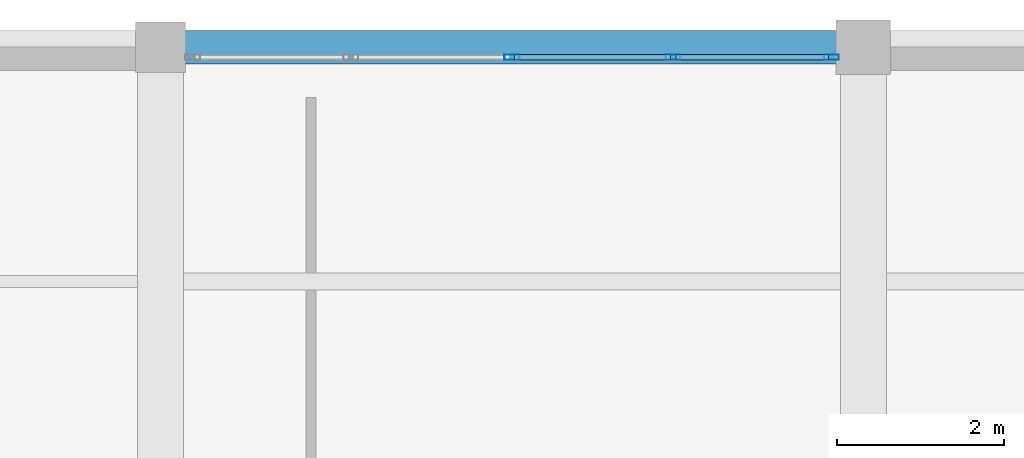
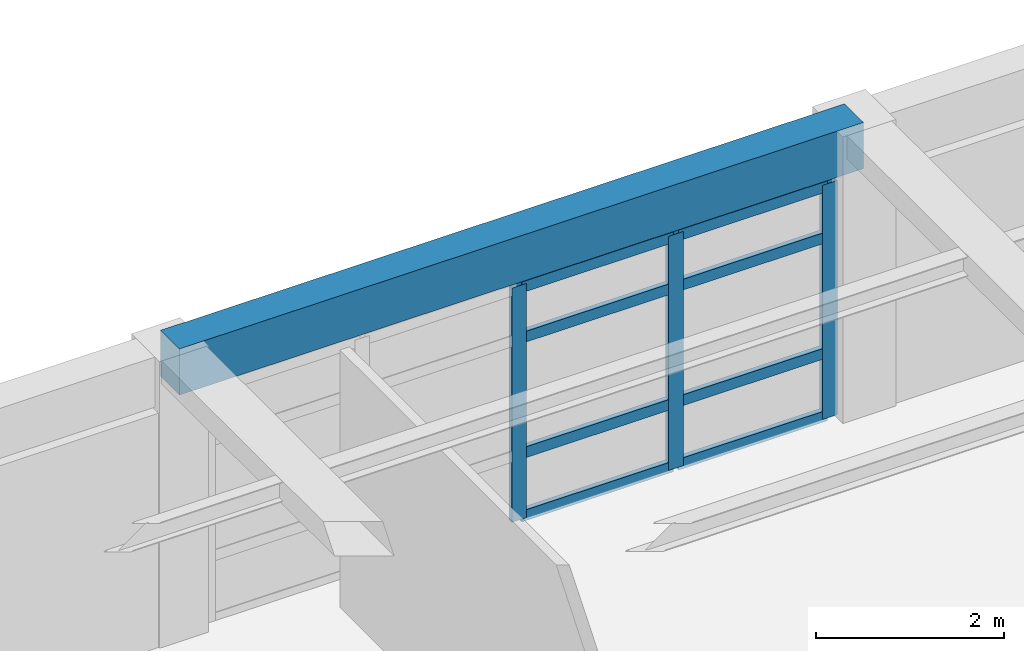
# One storey, part 20 of 26: 11 members, 1 beam, 1 element without a shape of its own.
"""IFC4 building model written with IfcOpenShell, lengths in metres."""

from ifc_helpers import new_model, si_unit, direction, frame, origin, origin_2d, place, context, subcontext, project, spatial, rectangle, hollow_rectangle, extrude, material, material_profile, profile_set, type_object, element, aggregate, save


model = new_model("IFC4")

# Units and contexts
model_context = context("Model", 3, precision=1e-05, world=origin(), true_north=direction((0.0, 1.0)))
body_context = subcontext(model_context, "Body", "Model", "MODEL_VIEW")
ifc_project = project(units=[si_unit("LENGTHUNIT", "METRE"), si_unit("AREAUNIT", "SQUARE_METRE"), si_unit("VOLUMEUNIT", "CUBIC_METRE"), si_unit("PLANEANGLEUNIT", "RADIAN"), si_unit("MASSUNIT", "GRAM", prefix="KILO")], contexts=[model_context])

# Site, building, storey
site_placement = place(None, origin())
site = spatial("IfcSite", under=ifc_project, at=site_placement, CompositionType="ELEMENT")
building_placement = place(site_placement, origin())
building = spatial("IfcBuilding", under=site, at=building_placement, Name="Almacenes y Pasaje Nevantli", CompositionType="ELEMENT")
storey_placement = place(building_placement, frame((0.0, 0.0, 42.699951171875)))
storey = spatial("IfcBuildingStorey", under=building, at=storey_placement, Name="L10", CompositionType="ELEMENT", Elevation=42.699951171875)

# Beam
ifc_material_1 = material(Name="Concrete C35/45", Category="concrete")
ifc_material_profile_1 = material_profile(ifc_material_1, rectangle(XDim=0.39990234375, YDim=0.60009765625, at=origin_2d()), Name="RC-BM-400x600")
ifc_profile_set_1 = profile_set([ifc_material_profile_1], Name="Concrete C35/45")
beam_type = type_object("IfcBeamType", Name="BM-RC-400x600", PredefinedType="SPANDREL", material=ifc_profile_set_1)
beam_placement = place(storey_placement, frame((142.800048828125, 100.800048828125, 3.420166015625), z_axis=(1.0, 0.0, 0.0), x_axis=(0.0, 1.0, 0.0)))
element("IfcBeam", 1, at=beam_placement, inside=storey, type_object=beam_type, Name="L10 East-West Reinforced Concrete Beam #3820", PredefinedType="SPANDREL", context=body_context, shape_type="SweptSolid", body=[
    extrude(rectangle(XDim=0.39990234375, YDim=0.60009765625, at=origin_2d()), origin(), (0.0, 0.0, 1.0), 8.39990234375),
])

# Curtain wall, members
ifc_material_2 = material(Name="Thermally Broken Aluminium and Low-E Glass", Category="aluminium")
curtain_wall_type = type_object("IfcCurtainWallType", Name="CW-UNIT-TOWER", PredefinedType="USERDEFINED", material=ifc_material_2)
curtain_wall_placement = place(storey_placement, origin())
curtain_wall = element("IfcCurtainWall", 2, at=curtain_wall_placement, inside=storey, type_object=curtain_wall_type, Name="L10 Tower North Boulevard Unitized Curtain Wall Bay 18", ObjectType="UNITIZED CURTAIN WALL", PredefinedType="USERDEFINED")
ifc_material_3 = material(Name="Thermally Broken Anodized Aluminium", Category="aluminium")
ifc_material_profile_2 = material_profile(ifc_material_3, hollow_rectangle(XDim=0.06494140625, YDim=0.179931640625, WallThickness=0.00390625, at=origin_2d()), Name="ALU-MUL-65x180")
ifc_profile_set_2 = profile_set([ifc_material_profile_2], Name="Thermally Broken Anodized Aluminium")
member_type_1 = type_object("IfcMemberType", Name="CW-MUL-200", PredefinedType="MULLION", material=ifc_profile_set_2)
member_1_placement = place(storey_placement, frame((147.0, 100.679931640625, 0.0), z_axis=(0.0, 0.0, 1.0), x_axis=(0.0, 1.0, 0.0)))
member_1 = element("IfcMember", 3, at=member_1_placement, type_object=member_type_1, Name="CW-L10-144 mullion 3", PredefinedType="MULLION", context=body_context, shape_type="SweptSolid", body=[
    extrude(hollow_rectangle(XDim=0.06494140625, YDim=0.179931640625, WallThickness=0.00390625, at=origin_2d()), origin(), (0.0, 0.0, 1.0), 3.0400390625),
])
member_2_placement = place(storey_placement, frame((148.925048828125, 100.679931640625, 0.0), z_axis=(0.0, 0.0, 1.0), x_axis=(0.0, 1.0, 0.0)))
member_2 = element("IfcMember", 4, at=member_2_placement, type_object=member_type_1, Name="CW-L10-144 mullion 4", PredefinedType="MULLION", context=body_context, shape_type="SweptSolid", body=[
    extrude(hollow_rectangle(XDim=0.06494140625, YDim=0.179931640625, WallThickness=0.00390625, at=origin_2d()), origin(), (0.0, 0.0, 1.0), 3.0400390625),
])
member_3_placement = place(storey_placement, frame((150.8173828125, 100.679931640625, 0.0), z_axis=(0.0, 0.0, 1.0), x_axis=(0.0, 1.0, 0.0)))
member_3 = element("IfcMember", 5, at=member_3_placement, type_object=member_type_1, Name="CW-L10-144 mullion 5", PredefinedType="MULLION", context=body_context, shape_type="SweptSolid", body=[
    extrude(hollow_rectangle(XDim=0.06494140625, YDim=0.179931640625, WallThickness=0.00390625, at=origin_2d()), origin(), (0.0, 0.0, 1.0), 3.0400390625),
])
ifc_material_4 = material(Name="Thermally Broken Anodized Aluminium", Category="aluminium")
ifc_material_profile_3 = material_profile(ifc_material_4, hollow_rectangle(XDim=0.06494140625, YDim=0.139892578125, WallThickness=0.00390625, at=origin_2d()), Name="ALU-TRN-65x140")
ifc_profile_set_3 = profile_set([ifc_material_profile_3], Name="Thermally Broken Anodized Aluminium")
member_type_2 = type_object("IfcMemberType", Name="CW-TRN-150", PredefinedType="USERDEFINED", material=ifc_profile_set_3)
member_4_placement = place(storey_placement, frame((147.032470703125, 100.679931640625, 0.032470703125), z_axis=(1.0, 0.0, 0.0), x_axis=(0.0, 1.0, 0.0)))
member_4 = element("IfcMember", 6, at=member_4_placement, type_object=member_type_2, Name="CW-L10-144 transom 3.1", ObjectType="TRANSOM", PredefinedType="USERDEFINED", context=body_context, shape_type="SweptSolid", body=[
    extrude(hollow_rectangle(XDim=0.06494140625, YDim=0.139892578125, WallThickness=0.00390625, at=origin_2d()), origin(), (0.0, 0.0, 1.0), 1.860107421875),
])
member_5_placement = place(storey_placement, frame((147.032470703125, 100.679931640625, 0.85009765625), z_axis=(1.0, 0.0, 0.0), x_axis=(0.0, 1.0, 0.0)))
member_5 = element("IfcMember", 7, at=member_5_placement, type_object=member_type_2, Name="CW-L10-144 transom 3.2", ObjectType="TRANSOM", PredefinedType="USERDEFINED", context=body_context, shape_type="SweptSolid", body=[
    extrude(hollow_rectangle(XDim=0.06494140625, YDim=0.139892578125, WallThickness=0.00390625, at=origin_2d()), origin(), (0.0, 0.0, 1.0), 1.860107421875),
])
member_6_placement = place(storey_placement, frame((147.032470703125, 100.679931640625, 2.35009765625), z_axis=(1.0, 0.0, 0.0), x_axis=(0.0, 1.0, 0.0)))
member_6 = element("IfcMember", 8, at=member_6_placement, type_object=member_type_2, Name="CW-L10-144 transom 3.3", ObjectType="TRANSOM", PredefinedType="USERDEFINED", context=body_context, shape_type="SweptSolid", body=[
    extrude(hollow_rectangle(XDim=0.06494140625, YDim=0.139892578125, WallThickness=0.00390625, at=origin_2d()), origin(), (0.0, 0.0, 1.0), 1.860107421875),
])
member_7_placement = place(storey_placement, frame((147.032470703125, 100.679931640625, 3.007568359375), z_axis=(1.0, 0.0, 0.0), x_axis=(0.0, 1.0, 0.0)))
member_7 = element("IfcMember", 9, at=member_7_placement, type_object=member_type_2, Name="CW-L10-144 transom 3.4", ObjectType="TRANSOM", PredefinedType="USERDEFINED", context=body_context, shape_type="SweptSolid", body=[
    extrude(hollow_rectangle(XDim=0.06494140625, YDim=0.139892578125, WallThickness=0.00390625, at=origin_2d()), origin(), (0.0, 0.0, 1.0), 1.860107421875),
])
member_8_placement = place(storey_placement, frame((148.95751953125, 100.679931640625, 0.032470703125), z_axis=(1.0, 0.0, 0.0), x_axis=(0.0, 1.0, 0.0)))
member_8 = element("IfcMember", 10, at=member_8_placement, type_object=member_type_2, Name="CW-L10-144 transom 4.1", ObjectType="TRANSOM", PredefinedType="USERDEFINED", context=body_context, shape_type="SweptSolid", body=[
    extrude(hollow_rectangle(XDim=0.06494140625, YDim=0.139892578125, WallThickness=0.00390625, at=origin_2d()), origin(), (0.0, 0.0, 1.0), 1.827392578125),
])
member_9_placement = place(storey_placement, frame((148.95751953125, 100.679931640625, 0.85009765625), z_axis=(1.0, 0.0, 0.0), x_axis=(0.0, 1.0, 0.0)))
member_9 = element("IfcMember", 11, at=member_9_placement, type_object=member_type_2, Name="CW-L10-144 transom 4.2", ObjectType="TRANSOM", PredefinedType="USERDEFINED", context=body_context, shape_type="SweptSolid", body=[
    extrude(hollow_rectangle(XDim=0.06494140625, YDim=0.139892578125, WallThickness=0.00390625, at=origin_2d()), origin(), (0.0, 0.0, 1.0), 1.827392578125),
])
member_10_placement = place(storey_placement, frame((148.95751953125, 100.679931640625, 2.35009765625), z_axis=(1.0, 0.0, 0.0), x_axis=(0.0, 1.0, 0.0)))
member_10 = element("IfcMember", 12, at=member_10_placement, type_object=member_type_2, Name="CW-L10-144 transom 4.3", ObjectType="TRANSOM", PredefinedType="USERDEFINED", context=body_context, shape_type="SweptSolid", body=[
    extrude(hollow_rectangle(XDim=0.06494140625, YDim=0.139892578125, WallThickness=0.00390625, at=origin_2d()), origin(), (0.0, 0.0, 1.0), 1.827392578125),
])
member_11_placement = place(storey_placement, frame((148.95751953125, 100.679931640625, 3.007568359375), z_axis=(1.0, 0.0, 0.0), x_axis=(0.0, 1.0, 0.0)))
member_11 = element("IfcMember", 13, at=member_11_placement, type_object=member_type_2, Name="CW-L10-144 transom 4.4", ObjectType="TRANSOM", PredefinedType="USERDEFINED", context=body_context, shape_type="SweptSolid", body=[
    extrude(hollow_rectangle(XDim=0.06494140625, YDim=0.139892578125, WallThickness=0.00390625, at=origin_2d()), origin(), (0.0, 0.0, 1.0), 1.827392578125),
])
aggregate(curtain_wall, [member_1, member_2, member_3, member_4, member_5, member_6, member_7, member_8, member_9, member_10, member_11])

save(model, "model.ifc")
